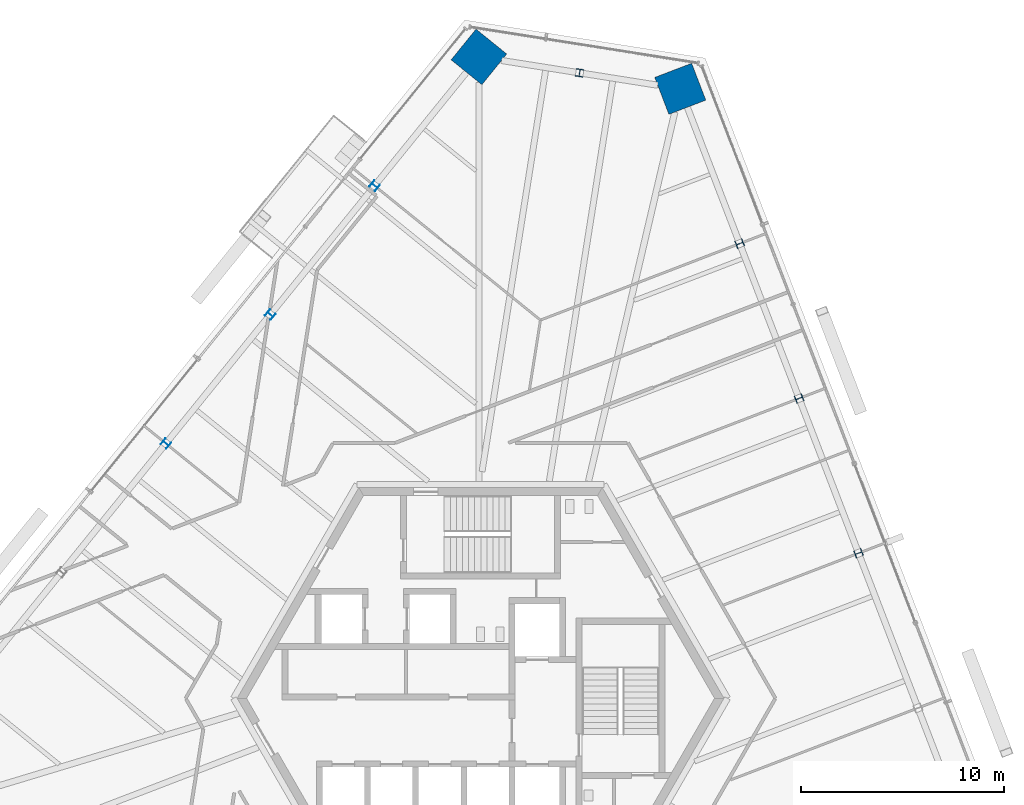
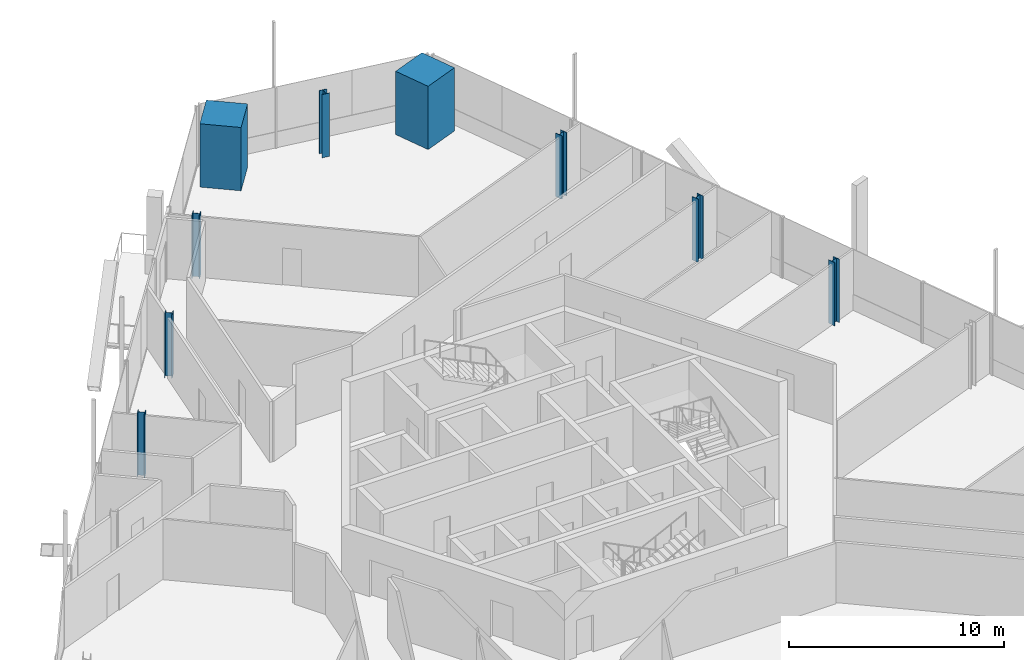
# One storey, part 3 of 21: 9 columns.
"""IFC4 building model written with IfcOpenShell, lengths in metres."""

import ifcopenshell
import ifcopenshell.guid

model = None  # the IFC model being written
_history = None  # IfcOwnerHistory: only IFC2X3 demands one
_inside = {}  # id of a spatial element -> (the spatial element, [elements in it])
_under = {}  # id of a project, library or spatial element -> (it, [spatial elements below it])
_declared = {}  # id of a project -> (the project, [libraries it declares])
_typed = {}  # id of a type object -> (the type object, [elements of that type])
_made_of = {}  # id of a material, layer set ... -> (it, [elements and type objects made of it])


def new_model(schema):
    """Start an empty IFC model of exactly this schema.

    Asked for "IFC4X3", IfcOpenShell would pick the latest addendum, in which some entities
    have other attributes; the version numbers below select the first issue.
    IFC2X3 requires an IfcOwnerHistory on every rooted entity: one is made here for all.
    """
    global model, _history
    if schema == "IFC4X3":
        model = ifcopenshell.file(schema_version=(4, 3, 0, 0))
    else:
        model = ifcopenshell.file(schema=schema)
    _inside.clear()
    _under.clear()
    _declared.clear()
    _typed.clear()
    _made_of.clear()
    _history = None
    if model.schema == "IFC2X3":
        org = make("IfcOrganization", Name="unknown")
        user = make(
            "IfcPersonAndOrganization",
            ThePerson=make("IfcPerson", FamilyName="unknown"),
            TheOrganization=org,
        )
        app = make(
            "IfcApplication",
            ApplicationDeveloper=org,
            Version="unknown",
            ApplicationFullName="unknown",
            ApplicationIdentifier="unknown",
        )
        _history = make(
            "IfcOwnerHistory",
            OwningUser=user,
            OwningApplication=app,
            ChangeAction="ADDED",
            CreationDate=0,
        )
    return model


def make(cls, **values):
    """One entity of the class cls with the attributes given. An attribute that is None is left unset."""
    return model.create_entity(
        cls, **{name: value for name, value in values.items() if value is not None}
    )


def rooted(cls, **values):
    """An entity with a GlobalId (a new one), such as an element, a storey or a relation."""
    return make(cls, GlobalId=ifcopenshell.guid.new(), OwnerHistory=_history, **values)


def si_unit(unit_type, name, prefix=None):
    """IfcSIUnit, for example si_unit("LENGTHUNIT", "METRE", prefix="MILLI")."""
    return make("IfcSIUnit", UnitType=unit_type, Prefix=prefix, Name=name)


def assignment(units):
    """IfcUnitAssignment: the units of a project."""
    return None if units is None else make("IfcUnitAssignment", Units=units)


def point(xyz):
    """IfcCartesianPoint."""
    return None if xyz is None else make("IfcCartesianPoint", Coordinates=xyz)


def direction(xyz):
    """IfcDirection."""
    return None if xyz is None else make("IfcDirection", DirectionRatios=xyz)


def frame(location, z_axis=None, x_axis=None):
    """IfcAxis2Placement3D, a coordinate frame: its origin and axes. An axis left out is left unset."""
    return make(
        "IfcAxis2Placement3D",
        Location=point(location),
        Axis=direction(z_axis),
        RefDirection=direction(x_axis),
    )


def frame_2d(location, x_axis=None):
    """IfcAxis2Placement2D, a coordinate frame in the plane: its origin and x axis."""
    return make(
        "IfcAxis2Placement2D", Location=point(location), RefDirection=direction(x_axis)
    )


def origin():
    """The frame at (0, 0, 0) with its axes left unset."""
    return frame((0.0, 0.0, 0.0))


def origin_2d():
    """The frame at (0, 0) in the plane with its x axis left unset."""
    return frame_2d((0.0, 0.0))


def place(relative_to, where):
    """IfcLocalPlacement: puts the frame where relative to a parent placement (None: the world)."""
    return make(
        "IfcLocalPlacement", PlacementRelTo=relative_to, RelativePlacement=where
    )


def context(
    kind, dimensions, precision=None, world=None, true_north=None, identifier=None
):
    """IfcGeometricRepresentationContext, for example the 3D "Model" context."""
    return make(
        "IfcGeometricRepresentationContext",
        ContextIdentifier=identifier,
        ContextType=kind,
        CoordinateSpaceDimension=dimensions,
        Precision=precision,
        WorldCoordinateSystem=world,
        TrueNorth=true_north,
    )


def subcontext(parent, identifier, kind, view, scale=None):
    """IfcGeometricRepresentationSubContext, for example "Body" below "Model"."""
    return make(
        "IfcGeometricRepresentationSubContext",
        ContextIdentifier=identifier,
        ContextType=kind,
        ParentContext=parent,
        TargetScale=scale,
        TargetView=view,
    )


def project(units=None, contexts=None):
    """IfcProject with its units and contexts."""
    return rooted(
        "IfcProject",
        Name="project",
        RepresentationContexts=contexts,
        UnitsInContext=assignment(units),
    )


def spatial(cls, under=None, at=None, **own):
    """A site, building, storey or space (cls), placed at a placement, below another one or the project."""
    s = rooted(cls, ObjectPlacement=at, **own)
    if under is not None:
        _under.setdefault(under.id(), (under, []))[1].append(s)
    return s


def profile(cls, at=None, kind="AREA", **sizes):
    """A parametric profile (cls). Its sizes go by their IFC names, for example OverallWidth=200.0."""
    return make(cls, ProfileType=kind, Position=at, **sizes)


def rectangle(**sizes):
    """IfcRectangleProfileDef."""
    return profile("IfcRectangleProfileDef", **sizes)


def i_section(**sizes):
    """IfcIShapeProfileDef."""
    return profile("IfcIShapeProfileDef", **sizes)


def extrude(swept, where, along, depth):
    """IfcExtrudedAreaSolid: the profile swept, set in the frame where, extruded along a direction by depth."""
    return make(
        "IfcExtrudedAreaSolid",
        SweptArea=swept,
        Position=where,
        ExtrudedDirection=direction(along),
        Depth=depth,
    )


def shape(context_of_items, identifier, shape_type, items):
    """IfcShapeRepresentation: the items that make up one representation, for example the "Body"."""
    return make(
        "IfcShapeRepresentation",
        ContextOfItems=context_of_items,
        RepresentationIdentifier=identifier,
        RepresentationType=shape_type,
        Items=items,
    )


def source(mapping_origin, context_of_items, identifier, shape_type, items):
    """IfcRepresentationMap: a shape defined once, which mapped items show again and again."""
    return make(
        "IfcRepresentationMap",
        MappingOrigin=mapping_origin,
        MappedRepresentation=shape(context_of_items, identifier, shape_type, items),
    )


def transform(
    local_origin,
    x_axis=None,
    y_axis=None,
    z_axis=None,
    scale=None,
    scale2=None,
    scale3=None,
    uniform=True,
):
    """IfcCartesianTransformationOperator3D, or its non-uniform kind. x_axis, y_axis, z_axis: its Axis1, 2, 3."""
    if uniform:
        return make(
            "IfcCartesianTransformationOperator3D",
            Axis1=direction(x_axis),
            Axis2=direction(y_axis),
            LocalOrigin=point(local_origin),
            Scale=scale,
            Axis3=direction(z_axis),
        )
    return make(
        "IfcCartesianTransformationOperator3DnonUniform",
        Axis1=direction(x_axis),
        Axis2=direction(y_axis),
        LocalOrigin=point(local_origin),
        Scale=scale,
        Axis3=direction(z_axis),
        Scale2=scale2,
        Scale3=scale3,
    )


def mapped(mapping_source, mapping_target):
    """IfcMappedItem: shows the shape of a source again, moved by a transform."""
    return make(
        "IfcMappedItem", MappingSource=mapping_source, MappingTarget=mapping_target
    )


def material(Name=None, Category=None):
    """IfcMaterial."""
    return make("IfcMaterial", Name=Name, Category=Category)


def material_profile(
    of_material, cross_section, Name=None, Category=None, Priority=None
):
    """IfcMaterialProfile: a cross section and its material."""
    return make(
        "IfcMaterialProfile",
        Name=Name,
        Material=of_material,
        Profile=cross_section,
        Priority=Priority,
        Category=Category,
    )


def profile_set(profiles, Name=None, composite=None):
    """IfcMaterialProfileSet."""
    return make(
        "IfcMaterialProfileSet",
        Name=Name,
        MaterialProfiles=profiles,
        CompositeProfile=composite,
    )


def made_of(thing, what):
    """Note that an element or type object is made of a material, layer set ...; save() writes the relation."""
    if what is not None:
        _made_of.setdefault(what.id(), (what, []))[1].append(thing)
    return thing


def type_object(cls, material=None, **own):
    """A type object (cls), such as IfcWallType, which elements share."""
    return made_of(rooted(cls, **own), material)


def element(
    cls,
    number,
    at=None,
    inside=None,
    cuts=None,
    type_object=None,
    material=None,
    context=None,
    identifier="Body",
    shape_type=None,
    held_by="IfcProductDefinitionShape",
    body=None,
    shapes=None,
    **own,
):
    """One element of the class cls, such as IfcWall. Its Tag is "e" and its number.

    at: its placement. inside: the storey or other place that contains it. cuts: it is an
    opening in that element (IfcRelVoidsElement). A single representation is given by context,
    identifier, shape_type and body (its items); several are given by shapes. held_by: the class
    of the entity that holds the representations. save() writes the other relations.
    """
    e = rooted(cls, Tag="e%d" % number, ObjectPlacement=at, **own)
    if body is not None:
        shapes = [shape(context, identifier, shape_type, body)]
    if shapes is not None:
        e.Representation = make(held_by, Representations=shapes)
    if inside is not None:
        _inside.setdefault(inside.id(), (inside, []))[1].append(e)
    if cuts is not None:
        rooted(
            "IfcRelVoidsElement", RelatingBuildingElement=cuts, RelatedOpeningElement=e
        )
    if type_object is not None:
        _typed.setdefault(type_object.id(), (type_object, []))[1].append(e)
    return made_of(e, material)


def aggregate(whole, parts):
    """IfcRelAggregates: a whole, such as a stair, and the parts it consists of."""
    return rooted("IfcRelAggregates", RelatingObject=whole, RelatedObjects=parts)


def save(model, path):
    """Write the relations noted so far, then the file.

    IfcRelAggregates (storeys below a building ...), IfcRelContainedInSpatialStructure (elements
    in a storey), IfcRelDefinesByType, IfcRelAssociatesMaterial and IfcRelDeclares: one each for
    every whole, place, type object, material and project.
    """
    for whole, parts in _under.values():
        aggregate(whole, parts)
    for where, things in _inside.values():
        rooted(
            "IfcRelContainedInSpatialStructure",
            RelatedElements=things,
            RelatingStructure=where,
        )
    for kind, things in _typed.values():
        rooted("IfcRelDefinesByType", RelatedObjects=things, RelatingType=kind)
    for what, things in _made_of.values():
        rooted("IfcRelAssociatesMaterial", RelatedObjects=things, RelatingMaterial=what)
    for by, libraries in _declared.values():
        rooted("IfcRelDeclares", RelatingContext=by, RelatedDefinitions=libraries)
    model.write(path)


model = new_model("IFC4")

# Units and contexts
model_context = context("Model", 3, precision=1e-05, world=origin(), true_north=direction((0.0, 1.0)))
body_context = subcontext(model_context, "Body", "Model", "MODEL_VIEW")
ifc_project = project(units=[si_unit("LENGTHUNIT", "METRE"), si_unit("AREAUNIT", "SQUARE_METRE"), si_unit("VOLUMEUNIT", "CUBIC_METRE"), si_unit("PLANEANGLEUNIT", "RADIAN"), si_unit("MASSUNIT", "GRAM", prefix="KILO")], contexts=[model_context])

# Site, building, storey
site_placement = place(None, origin())
site = spatial("IfcSite", under=ifc_project, at=site_placement, CompositionType="ELEMENT")
building_placement = place(site_placement, origin())
building = spatial("IfcBuilding", under=site, at=building_placement, Name="Triune Harvest Tower", CompositionType="ELEMENT")
storey_placement = place(building_placement, frame((0.0, 0.0, 160.5)))
storey = spatial("IfcBuildingStorey", under=building, at=storey_placement, Name="L41", CompositionType="ELEMENT", Elevation=160.5)

# Columns
ifc_material_1 = material(Name="Concrete 70 MPa", Category="concrete")
ifc_material_profile_1 = material_profile(ifc_material_1, rectangle(XDim=1.949951171875, YDim=1.949951171875, at=origin_2d()), Name="Composite 1950x1950")
ifc_profile_set_1 = profile_set([ifc_material_profile_1], Name="Concrete 70 MPa")
column_type_1 = type_object("IfcColumnType", Name="MC-4 Mega column Composite 1950x1950", PredefinedType="COLUMN", material=ifc_profile_set_1)
shared_shape_1 = source(origin(), body_context, "Body", "SweptSolid", [
    extrude(rectangle(XDim=1.949951171875, YDim=1.949951171875, at=origin_2d()), origin(), (0.0, 0.0, 1.0), 3.60009765625),
])
for number, where, z_axis, x_axis, name in (
    (1, (9.846923828125, 30.0498046875, 0.0), (0.0, 0.0, 1.0), (-0.358367949545, 0.933580426497, 0.0), "col/L41/M6"),
    (2, (-0.0791015625, 31.621826171875, 0.0), (0.0, 0.0, 1.0), (-0.629321747424, -0.777144863084, 0.0), "col/L41/M8"),
):
    element("IfcColumn", number, at=place(storey_placement, frame(where, z_axis=z_axis, x_axis=x_axis)), inside=storey, type_object=column_type_1, Name=name, PredefinedType="COLUMN", context=body_context, shape_type="MappedRepresentation", body=[
        mapped(shared_shape_1, transform((0.0, 0.0, 0.0), scale=1.0)),
    ])
ifc_material_2 = material(Name="Steel ASTM A992 Gr 50", Category="steel")
ifc_material_profile_2 = material_profile(ifc_material_2, i_section(OverallWidth=0.373291015625, OverallDepth=0.373291015625, WebThickness=0.016357421875, FlangeThickness=0.026123046875, at=origin_2d()), Name="W14x132")
ifc_profile_set_2 = profile_set([ifc_material_profile_2], Name="Steel ASTM A992 Gr 50")
column_type_2 = type_object("IfcColumnType", Name="PC-4 Perimeter column W14x132", PredefinedType="COLUMN", material=ifc_profile_set_2)
shared_shape_2 = source(origin(), body_context, "Body", "SweptSolid", [
    extrude(i_section(OverallWidth=0.373291015625, OverallDepth=0.373291015625, WebThickness=0.016357421875, FlangeThickness=0.026123046875, at=origin_2d()), origin(), (0.0, 0.0, 1.0), 3.60009765625),
])
for number, where, z_axis, x_axis, name in (
    (3, (18.635986328125, 7.15380859375, 0.0), (0.0, 0.0, 1.0), (-0.358367949545, 0.933580426497, 0.0), "col/L41/P3"),
    (4, (15.706298828125, 14.78564453125, 0.0), (0.0, 0.0, 1.0), (-0.358367949545, 0.933580426497, 0.0), "col/L41/P4"),
    (5, (12.776611328125, 22.417724609375, 0.0), (0.0, 0.0, 1.0), (-0.358367949545, 0.933580426497, 0.0), "col/L41/P5"),
    (6, (4.8837890625, 30.8359375, 0.0), (0.0, 0.0, 1.0), (-0.987688340595, 0.15643446504, 0.0), "col/L41/P7"),
    (7, (-5.223876953125, 25.268798828125, 0.0), (0.0, 0.0, 1.0), (-0.629321747424, -0.777144863084, 0.0), "col/L41/P9"),
    (8, (-10.36865234375, 18.91552734375, 0.0), (0.0, 0.0, 1.0), (-0.629321747424, -0.777144863084, 0.0), "col/L41/P10"),
    (9, (-15.51318359375, 12.5625, 0.0), (0.0, 0.0, 1.0), (-0.629321747424, -0.777144863084, 0.0), "col/L41/P11"),
):
    element("IfcColumn", number, at=place(storey_placement, frame(where, z_axis=z_axis, x_axis=x_axis)), inside=storey, type_object=column_type_2, Name=name, PredefinedType="COLUMN", context=body_context, shape_type="MappedRepresentation", body=[
        mapped(shared_shape_2, transform((0.0, 0.0, 0.0), scale=1.0)),
    ])

save(model, "model.ifc")
